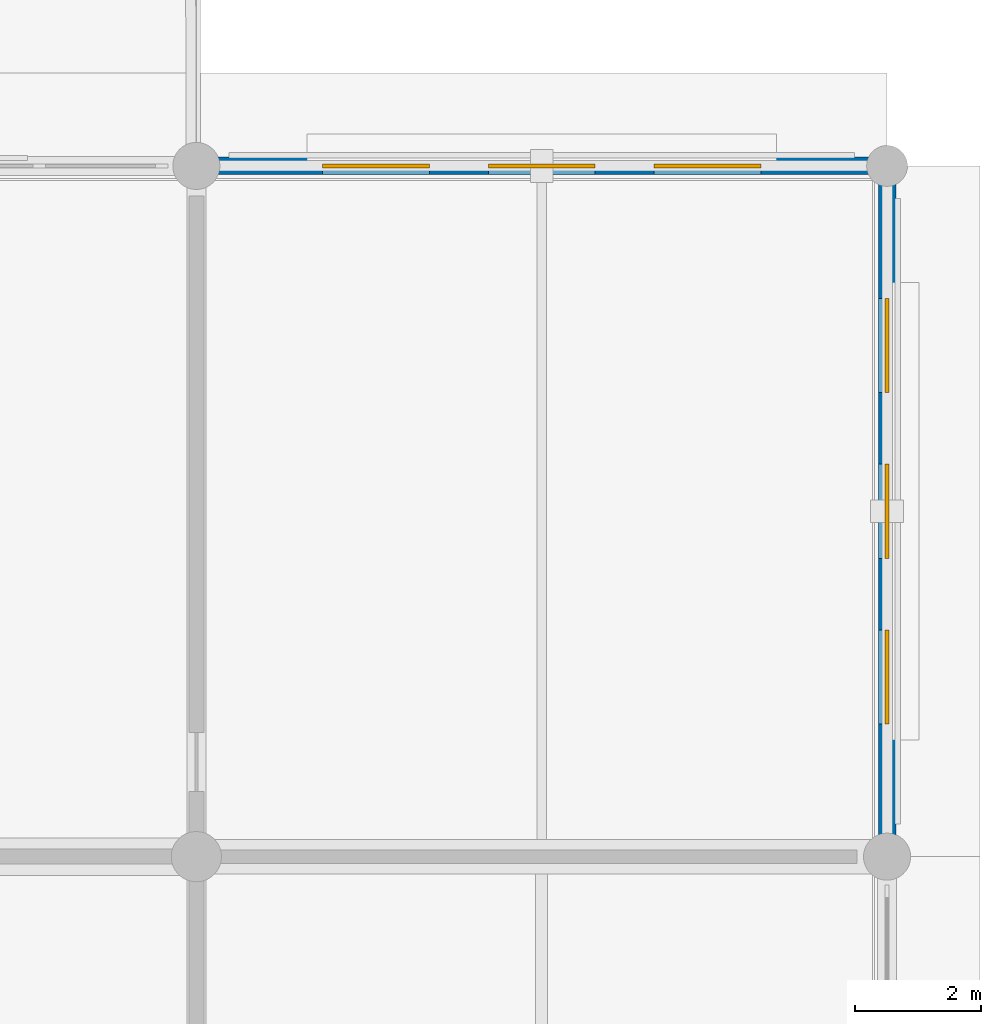
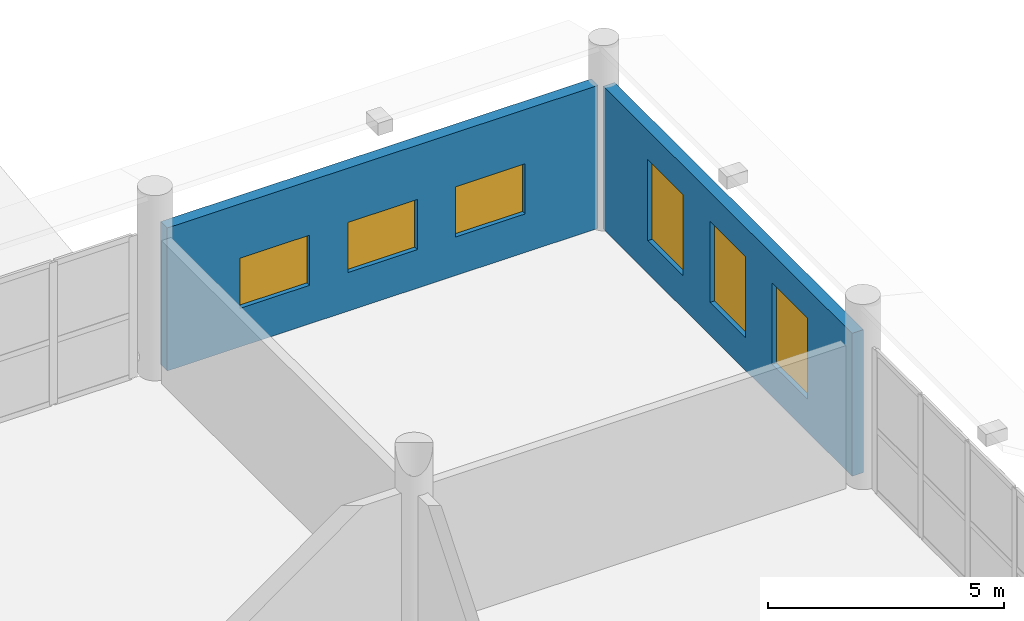
# One storey, part 101 of 143: 6 windows, 2 walls, 6 openings.
"""IFC4 building model written with IfcOpenShell, lengths in metres."""

from ifc_helpers import new_model, si_unit, direction, frame, frame_2d, origin, place, context, subcontext, project, spatial, rectangle, extrude, material, layer, layer_set, type_object, element, fill, save


model = new_model("IFC4")

# Units and contexts
model_context = context("Model", 3, precision=1e-05, world=origin(), true_north=direction((0.0, 1.0)))
body_context = subcontext(model_context, "Body", "Model", "MODEL_VIEW")
ifc_project = project(units=[si_unit("LENGTHUNIT", "METRE"), si_unit("AREAUNIT", "SQUARE_METRE"), si_unit("VOLUMEUNIT", "CUBIC_METRE"), si_unit("PLANEANGLEUNIT", "RADIAN"), si_unit("MASSUNIT", "GRAM", prefix="KILO")], contexts=[model_context])

# Site, building, storey
site_placement = place(None, origin())
site = spatial("IfcSite", under=ifc_project, at=site_placement, CompositionType="ELEMENT")
building_placement = place(site_placement, origin())
building = spatial("IfcBuilding", under=site, at=building_placement, Name="Luwafu Chhajja Arena", CompositionType="ELEMENT")
storey_placement = place(building_placement, frame((0.0, 0.0, 5.39990234375)))
storey = spatial("IfcBuildingStorey", under=building, at=storey_placement, Name="L01", CompositionType="ELEMENT", Elevation=5.39990234375)

# Wall, openings, windows
ifc_material_1 = material(Name="Concrete C35/45", Category="concrete")
ifc_layer = layer(ifc_material_1, 0.280029296875, Name="Concrete C35/45")
ifc_layer_set = layer_set([ifc_layer], Name="Concrete C35/45")
wall_type = type_object("IfcWallType", Name="Colonnade Arcade Spandrel Wall 280", PredefinedType="SOLIDWALL", material=ifc_layer_set)
wall_1_placement = place(storey_placement, frame((187.219970703125, 121.0, 0.0), z_axis=(0.0, 0.0, 1.0), x_axis=(1.0, 0.0, 0.0)))
wall_1 = element("IfcWall", 1, at=wall_1_placement, inside=storey, type_object=wall_type, Name="L01 Exterior Wall WEX-L01-143", PredefinedType="SOLIDWALL", context=body_context, shape_type="SweptSolid", body=[
    extrude(rectangle(XDim=10.56005859375, YDim=0.280029296875, at=frame_2d((5.280029296875, 0.0))), origin(), (0.0, 0.0, 1.0), 3.705078125),
])
opening_1_placement = place(wall_1_placement, frame((1.7900390625, 0.0, 1.0)))
opening_1 = element("IfcOpeningElement", 2, at=opening_1_placement, cuts=wall_1, Name="Opening WN-21", PredefinedType="OPENING", context=body_context, shape_type="SweptSolid", body=[
    extrude(rectangle(XDim=1.699951171875, YDim=1.300048828125, at=frame_2d((0.85009765625, 0.64990234375))), frame((0.0, 0.14990234375, 0.0), z_axis=(0.0, -1.0, 0.0), x_axis=(1.0, 0.0, 0.0)), (0.0, 0.0, 1.0), 0.300048828125),
])
opening_2_placement = place(wall_1_placement, frame((4.429931640625, 0.0, 1.0)))
opening_2 = element("IfcOpeningElement", 3, at=opening_2_placement, cuts=wall_1, Name="Opening WN-21", PredefinedType="OPENING", context=body_context, shape_type="SweptSolid", body=[
    extrude(rectangle(XDim=1.699951171875, YDim=1.300048828125, at=frame_2d((0.85009765625, 0.64990234375))), frame((0.0, 0.14990234375, 0.0), z_axis=(0.0, -1.0, 0.0), x_axis=(1.0, 0.0, 0.0)), (0.0, 0.0, 1.0), 0.300048828125),
])
opening_3_placement = place(wall_1_placement, frame((7.070068359375, 0.0, 1.0)))
opening_3 = element("IfcOpeningElement", 4, at=opening_3_placement, cuts=wall_1, Name="Opening WN-21", PredefinedType="OPENING", context=body_context, shape_type="SweptSolid", body=[
    extrude(rectangle(XDim=1.699951171875, YDim=1.300048828125, at=frame_2d((0.85009765625, 0.64990234375))), frame((0.0, 0.14990234375, 0.0), z_axis=(0.0, -1.0, 0.0), x_axis=(1.0, 0.0, 0.0)), (0.0, 0.0, 1.0), 0.300048828125),
])
ifc_material_2 = material(Name="Solar-control laminated glass", Category="glass")
window_type_1 = type_object("IfcWindowType", Name="Technical Gallery Louvred Window 1700x1300", PartitioningType="SINGLE_PANEL", PredefinedType="WINDOW", material=ifc_material_2)
window_1_placement = place(opening_1_placement, origin())
window_1 = element("IfcWindow", 5, at=window_1_placement, inside=storey, type_object=window_type_1, Name="L01 Facade Window 062", OverallHeight=1.300048828125, OverallWidth=1.699951171875, PartitioningType="SINGLE_PANEL", PredefinedType="WINDOW", context=body_context, shape_type="SweptSolid", body=[
    extrude(rectangle(XDim=1.699951171875, YDim=1.300048828125, at=frame_2d((0.85009765625, 0.64990234375))), frame((0.0, 0.030029296875, 0.0), z_axis=(0.0, -1.0, 0.0), x_axis=(1.0, 0.0, 0.0)), (0.0, 0.0, 1.0), 0.06005859375),
])
fill(opening_1, window_1)
window_2_placement = place(opening_2_placement, origin())
window_2 = element("IfcWindow", 6, at=window_2_placement, inside=storey, type_object=window_type_1, Name="L01 Facade Window 063", OverallHeight=1.300048828125, OverallWidth=1.699951171875, PartitioningType="SINGLE_PANEL", PredefinedType="WINDOW", context=body_context, shape_type="SweptSolid", body=[
    extrude(rectangle(XDim=1.699951171875, YDim=1.300048828125, at=frame_2d((0.85009765625, 0.64990234375))), frame((0.0, 0.030029296875, 0.0), z_axis=(0.0, -1.0, 0.0), x_axis=(1.0, 0.0, 0.0)), (0.0, 0.0, 1.0), 0.06005859375),
])
fill(opening_2, window_2)
window_3_placement = place(opening_3_placement, origin())
window_3 = element("IfcWindow", 7, at=window_3_placement, inside=storey, type_object=window_type_1, Name="L01 Facade Window 064", OverallHeight=1.300048828125, OverallWidth=1.699951171875, PartitioningType="SINGLE_PANEL", PredefinedType="WINDOW", context=body_context, shape_type="SweptSolid", body=[
    extrude(rectangle(XDim=1.699951171875, YDim=1.300048828125, at=frame_2d((0.85009765625, 0.64990234375))), frame((0.0, 0.030029296875, 0.0), z_axis=(0.0, -1.0, 0.0), x_axis=(1.0, 0.0, 0.0)), (0.0, 0.0, 1.0), 0.06005859375),
])
fill(opening_3, window_3)

wall_2_placement = place(storey_placement, frame((198.0, 110.219970703125, 0.0), z_axis=(0.0, 0.0, 1.0), x_axis=(0.0, 1.0, 0.0)))
wall_2 = element("IfcWall", 8, at=wall_2_placement, inside=storey, type_object=wall_type, Name="L01 Exterior Wall WEX-L01-144", PredefinedType="SOLIDWALL", context=body_context, shape_type="SweptSolid", body=[
    extrude(rectangle(XDim=10.56005859375, YDim=0.280029296875, at=frame_2d((5.280029296875, 0.0))), origin(), (0.0, 0.0, 1.0), 3.705078125),
])
opening_4_placement = place(wall_2_placement, frame((1.889892578125, 0.0, 0.85009765625)))
opening_4 = element("IfcOpeningElement", 9, at=opening_4_placement, cuts=wall_2, Name="Opening WN-02", PredefinedType="OPENING", context=body_context, shape_type="SweptSolid", body=[
    extrude(rectangle(XDim=1.5, YDim=2.10009765625, at=frame_2d((0.75, 1.050048828125))), frame((0.0, 0.14990234375, 0.0), z_axis=(0.0, -1.0, 0.0), x_axis=(1.0, 0.0, 0.0)), (0.0, 0.0, 1.0), 0.300048828125),
])
opening_5_placement = place(wall_2_placement, frame((4.530029296875, 0.0, 0.85009765625)))
opening_5 = element("IfcOpeningElement", 10, at=opening_5_placement, cuts=wall_2, Name="Opening WN-02", PredefinedType="OPENING", context=body_context, shape_type="SweptSolid", body=[
    extrude(rectangle(XDim=1.5, YDim=2.10009765625, at=frame_2d((0.75, 1.050048828125))), frame((0.0, 0.14990234375, 0.0), z_axis=(0.0, -1.0, 0.0), x_axis=(1.0, 0.0, 0.0)), (0.0, 0.0, 1.0), 0.300048828125),
])
opening_6_placement = place(wall_2_placement, frame((7.169921875, 0.0, 0.85009765625)))
opening_6 = element("IfcOpeningElement", 11, at=opening_6_placement, cuts=wall_2, Name="Opening WN-02", PredefinedType="OPENING", context=body_context, shape_type="SweptSolid", body=[
    extrude(rectangle(XDim=1.5, YDim=2.10009765625, at=frame_2d((0.75, 1.050048828125))), frame((0.0, 0.14990234375, 0.0), z_axis=(0.0, -1.0, 0.0), x_axis=(1.0, 0.0, 0.0)), (0.0, 0.0, 1.0), 0.300048828125),
])
window_type_2 = type_object("IfcWindowType", Name="Mughal Deep-Reveal Punched Window 1500x2100", PartitioningType="SINGLE_PANEL", PredefinedType="WINDOW", material=ifc_material_2)
window_4_placement = place(opening_4_placement, origin())
window_4 = element("IfcWindow", 12, at=window_4_placement, inside=storey, type_object=window_type_2, Name="L01 Facade Window 065", OverallHeight=2.10009765625, OverallWidth=1.5, PartitioningType="SINGLE_PANEL", PredefinedType="WINDOW", context=body_context, shape_type="SweptSolid", body=[
    extrude(rectangle(XDim=1.5, YDim=2.10009765625, at=frame_2d((0.75, 1.050048828125))), frame((0.0, 0.030029296875, 0.0), z_axis=(0.0, -1.0, 0.0), x_axis=(1.0, 0.0, 0.0)), (0.0, 0.0, 1.0), 0.06005859375),
])
fill(opening_4, window_4)
window_5_placement = place(opening_5_placement, origin())
window_5 = element("IfcWindow", 13, at=window_5_placement, inside=storey, type_object=window_type_2, Name="L01 Facade Window 066", OverallHeight=2.10009765625, OverallWidth=1.5, PartitioningType="SINGLE_PANEL", PredefinedType="WINDOW", context=body_context, shape_type="SweptSolid", body=[
    extrude(rectangle(XDim=1.5, YDim=2.10009765625, at=frame_2d((0.75, 1.050048828125))), frame((0.0, 0.030029296875, 0.0), z_axis=(0.0, -1.0, 0.0), x_axis=(1.0, 0.0, 0.0)), (0.0, 0.0, 1.0), 0.06005859375),
])
fill(opening_5, window_5)
window_6_placement = place(opening_6_placement, origin())
window_6 = element("IfcWindow", 14, at=window_6_placement, inside=storey, type_object=window_type_2, Name="L01 Facade Window 067", OverallHeight=2.10009765625, OverallWidth=1.5, PartitioningType="SINGLE_PANEL", PredefinedType="WINDOW", context=body_context, shape_type="SweptSolid", body=[
    extrude(rectangle(XDim=1.5, YDim=2.10009765625, at=frame_2d((0.75, 1.050048828125))), frame((0.0, 0.030029296875, 0.0), z_axis=(0.0, -1.0, 0.0), x_axis=(1.0, 0.0, 0.0)), (0.0, 0.0, 1.0), 0.06005859375),
])
fill(opening_6, window_6)

save(model, "model.ifc")
